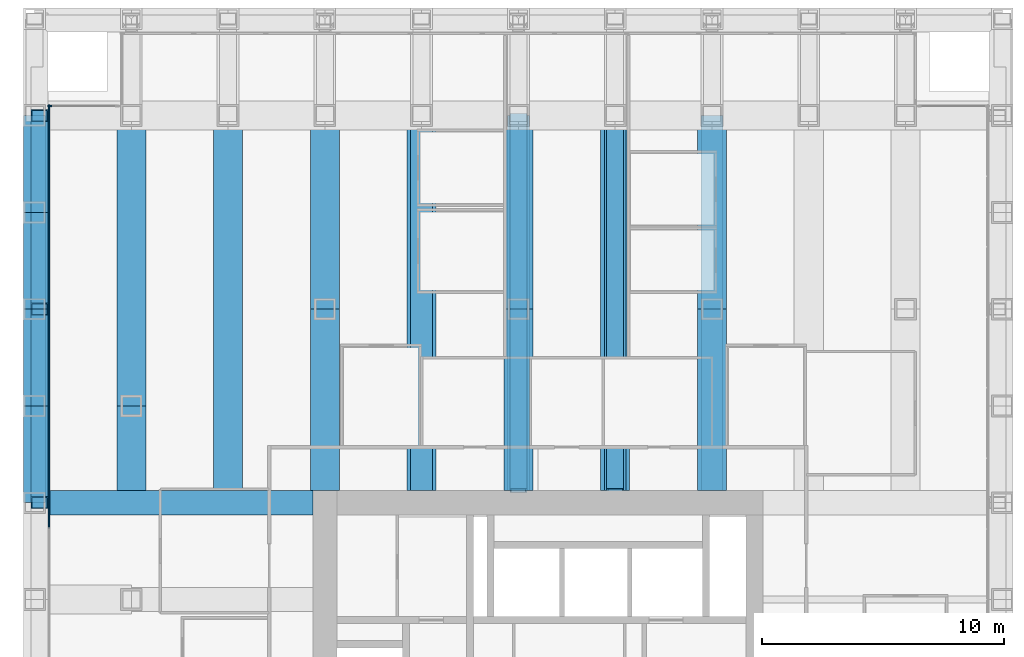
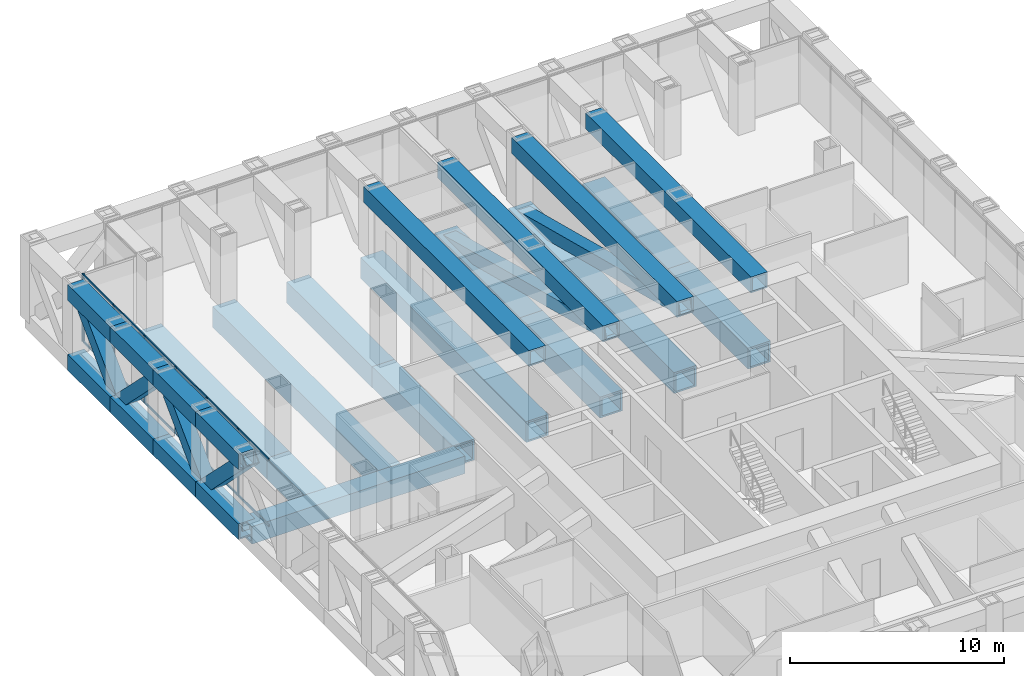
# One storey, part 6 of 16: 25 members, 24 beams, 2 elements without a shape of their own.
"""IFC4 building model written with IfcOpenShell, lengths in metres."""

from ifc_helpers import new_model, si_unit, direction, frame, origin, origin_2d, place, context, subcontext, project, spatial, rectangle, hollow_rectangle, extrude, material, material_profile, profile_set, type_object, element, aggregate, save


model = new_model("IFC4")

# Units and contexts
model_context = context("Model", 3, precision=1e-05, world=origin(), true_north=direction((0.0, 1.0)))
body_context = subcontext(model_context, "Body", "Model", "MODEL_VIEW")
ifc_project = project(units=[si_unit("LENGTHUNIT", "METRE"), si_unit("AREAUNIT", "SQUARE_METRE"), si_unit("VOLUMEUNIT", "CUBIC_METRE"), si_unit("PLANEANGLEUNIT", "RADIAN"), si_unit("MASSUNIT", "GRAM", prefix="KILO")], contexts=[model_context])

# Site, building, storey
site_placement = place(None, origin())
site = spatial("IfcSite", under=ifc_project, at=site_placement, CompositionType="ELEMENT")
building_placement = place(site_placement, origin())
building = spatial("IfcBuilding", under=site, at=building_placement, Name="Rimbunsela Tower", CompositionType="ELEMENT")
storey_placement = place(building_placement, frame((0.0, 0.0, 171.800048828125)))
storey = spatial("IfcBuildingStorey", under=building, at=storey_placement, Name="L41", CompositionType="ELEMENT", Elevation=171.800048828125)

# Beams
ifc_material_1 = material(Name="Steel BJ 55 (fy 410 MPa)", Category="steel")
ifc_material_profile_1 = material_profile(ifc_material_1, hollow_rectangle(XDim=1.0, YDim=1.0, WallThickness=0.10009765625, at=origin_2d()), Name="BOX 1000x1000x100")
ifc_profile_set_1 = profile_set([ifc_material_profile_1], Name="Steel BJ 55 (fy 410 MPa)")
beam_type_1 = type_object("IfcBeamType", Name="Beam BOX 1000x1000x100", PredefinedType="BEAM", material=ifc_profile_set_1)
beam_1_placement = place(storey_placement, frame((6.0, 36.0, -0.650146484375), z_axis=(1.0, 0.0, 0.0), x_axis=(0.0, 1.0, 0.0)))
element("IfcBeam", 1, at=beam_1_placement, inside=storey, type_object=beam_type_1, Name="Beam B3 L41", PredefinedType="BEAM", context=body_context, shape_type="SweptSolid", body=[
    extrude(hollow_rectangle(XDim=1.0, YDim=1.0, WallThickness=0.10009765625, at=origin_2d()), origin(), (0.0, 0.0, 1.0), 11.5),
])
ifc_material_2 = material(Name="Steel BJ 55 (fy 410 MPa)", Category="steel")
ifc_material_profile_2 = material_profile(ifc_material_2, hollow_rectangle(XDim=1.199951171875, YDim=1.199951171875, WallThickness=0.10009765625, at=origin_2d()), Name="BOX 1200x1200x100")
ifc_profile_set_2 = profile_set([ifc_material_profile_2], Name="Steel BJ 55 (fy 410 MPa)")
beam_type_2 = type_object("IfcBeamType", Name="Beam BOX 1200x1200x100", PredefinedType="BEAM", material=ifc_profile_set_2)
beam_2_placement = place(storey_placement, frame((14.0, 36.5, -0.75), z_axis=(0.0, 1.0, 0.0), x_axis=(-1.0, 0.0, 0.0)))
element("IfcBeam", 2, at=beam_2_placement, inside=storey, type_object=beam_type_2, Name="Beam B5 L41", PredefinedType="BEAM", context=body_context, shape_type="SweptSolid", body=[
    extrude(hollow_rectangle(XDim=1.199951171875, YDim=1.199951171875, WallThickness=0.10009765625, at=origin_2d()), origin(), (0.0, 0.0, 1.0), 15.5),
])
beam_3_placement = place(storey_placement, frame((18.0, 36.5, -0.75), z_axis=(0.0, 1.0, 0.0), x_axis=(-1.0, 0.0, 0.0)))
element("IfcBeam", 3, at=beam_3_placement, inside=storey, type_object=beam_type_2, Name="Beam B5 L41", PredefinedType="BEAM", context=body_context, shape_type="SweptSolid", body=[
    extrude(hollow_rectangle(XDim=1.199951171875, YDim=1.199951171875, WallThickness=0.10009765625, at=origin_2d()), origin(), (0.0, 0.0, 1.0), 7.5),
])
beam_4_placement = place(storey_placement, frame((22.0, 36.5, -0.75), z_axis=(0.0, 1.0, 0.0), x_axis=(-1.0, 0.0, 0.0)))
element("IfcBeam", 4, at=beam_4_placement, inside=storey, type_object=beam_type_2, Name="Beam B5 L41", PredefinedType="BEAM", context=body_context, shape_type="SweptSolid", body=[
    extrude(hollow_rectangle(XDim=1.199951171875, YDim=1.199951171875, WallThickness=0.10009765625, at=origin_2d()), origin(), (0.0, 0.0, 1.0), 15.5),
])
beam_5_placement = place(storey_placement, frame((26.0, 36.5, -0.75), z_axis=(0.0, 1.0, 0.0), x_axis=(-1.0, 0.0, 0.0)))
element("IfcBeam", 5, at=beam_5_placement, inside=storey, type_object=beam_type_2, Name="Beam B5 L41", PredefinedType="BEAM", context=body_context, shape_type="SweptSolid", body=[
    extrude(hollow_rectangle(XDim=1.199951171875, YDim=1.199951171875, WallThickness=0.10009765625, at=origin_2d()), origin(), (0.0, 0.0, 1.0), 7.5),
])
beam_6_placement = place(storey_placement, frame((30.0, 36.5, -0.75), z_axis=(0.0, 1.0, 0.0), x_axis=(-1.0, 0.0, 0.0)))
element("IfcBeam", 6, at=beam_6_placement, inside=storey, type_object=beam_type_2, Name="Beam B5 L41", PredefinedType="BEAM", context=body_context, shape_type="SweptSolid", body=[
    extrude(hollow_rectangle(XDim=1.199951171875, YDim=1.199951171875, WallThickness=0.10009765625, at=origin_2d()), origin(), (0.0, 0.0, 1.0), 15.5),
])
beam_7_placement = place(storey_placement, frame((34.0, 36.5, -0.75), z_axis=(0.0, 1.0, 0.0), x_axis=(-1.0, 0.0, 0.0)))
element("IfcBeam", 7, at=beam_7_placement, inside=storey, type_object=beam_type_2, Name="Beam B5 L41", PredefinedType="BEAM", context=body_context, shape_type="SweptSolid", body=[
    extrude(hollow_rectangle(XDim=1.199951171875, YDim=1.199951171875, WallThickness=0.10009765625, at=origin_2d()), origin(), (0.0, 0.0, 1.0), 7.5),
])
ifc_material_3 = material(Name="Steel BJ 55 (fy 410 MPa)", Category="steel")
ifc_material_profile_3 = material_profile(ifc_material_3, hollow_rectangle(XDim=1.199951171875, YDim=1.199951171875, WallThickness=0.125, at=origin_2d()), Name="BOX 1200x1200x125")
ifc_profile_set_3 = profile_set([ifc_material_profile_3], Name="Steel BJ 55 (fy 410 MPa)")
beam_type_3 = type_object("IfcBeamType", Name="Beam BOX 1200x1200x125", PredefinedType="BEAM", material=ifc_profile_set_3)
beam_8_placement = place(storey_placement, frame((10.0, 36.5, -0.75), z_axis=(0.0, 1.0, 0.0), x_axis=(-1.0, 0.0, 0.0)))
element("IfcBeam", 8, at=beam_8_placement, inside=storey, type_object=beam_type_3, Name="Beam B4 L41", PredefinedType="BEAM", context=body_context, shape_type="SweptSolid", body=[
    extrude(hollow_rectangle(XDim=1.199951171875, YDim=1.199951171875, WallThickness=0.125, at=origin_2d()), origin(), (0.0, 0.0, 1.0), 3.5),
])
beam_9_placement = place(storey_placement, frame((10.0, 40.0, -0.75), z_axis=(0.0, 1.0, 0.0), x_axis=(-1.0, 0.0, 0.0)))
element("IfcBeam", 9, at=beam_9_placement, inside=storey, type_object=beam_type_3, Name="Beam B4 L41", PredefinedType="BEAM", context=body_context, shape_type="SweptSolid", body=[
    extrude(hollow_rectangle(XDim=1.199951171875, YDim=1.199951171875, WallThickness=0.125, at=origin_2d()), origin(), (0.0, 0.0, 1.0), 12.0),
])
for number, where, z_axis, x_axis, name in (
    (10, (18.0, 44.0, -0.75), (0.0, 1.0, 0.0), (-1.0, 0.0, 0.0), "Beam B4 L41"),
    (11, (26.0, 44.0, -0.75), (0.0, 1.0, 0.0), (-1.0, 0.0, 0.0), "Beam B4 L41"),
    (12, (34.0, 44.0, -0.75), (0.0, 1.0, 0.0), (-1.0, 0.0, 0.0), "Beam B4 L41"),
):
    element("IfcBeam", number, at=place(storey_placement, frame(where, z_axis=z_axis, x_axis=x_axis)), inside=storey, type_object=beam_type_3, Name=name, PredefinedType="BEAM", context=body_context, shape_type="SweptSolid", body=[
        extrude(hollow_rectangle(XDim=1.199951171875, YDim=1.199951171875, WallThickness=0.125, at=origin_2d()), origin(), (0.0, 0.0, 1.0), 8.0),
    ])

# Curtain wall, member
ifc_material_4 = material(Name="Aluminium curtain wall", Category="aluminium")
curtain_wall_type_1 = type_object("IfcCurtainWallType", Name="Corner glazing", PredefinedType="USERDEFINED", material=ifc_material_4)
curtain_wall_1_placement = place(storey_placement, origin())
curtain_wall_1 = element("IfcCurtainWall", 13, at=curtain_wall_1_placement, inside=storey, type_object=curtain_wall_type_1, Name="Corner glazing L41", ObjectType="CORNER GLAZING", PredefinedType="USERDEFINED")
ifc_material_5 = material(Name="Aluminium mullion", Category="aluminium")
ifc_material_profile_4 = material_profile(ifc_material_5, rectangle(XDim=0.06005859375, YDim=0.159912109375, at=origin_2d()), Name="Mullion 60x160")
ifc_profile_set_4 = profile_set([ifc_material_profile_4], Name="Aluminium mullion")
member_type_1 = type_object("IfcMemberType", Name="Curtain wall mullion 60x160", PredefinedType="MULLION", material=ifc_profile_set_4)
member_1_placement = place(storey_placement, frame((6.6298828125, 52.39990234375, 0.0), z_axis=(0.0, 0.0, 1.0), x_axis=(0.0, -1.0, 0.0)))
member_1 = element("IfcMember", 14, at=member_1_placement, type_object=member_type_1, Name="CW5 mullion 2", PredefinedType="MULLION", context=body_context, shape_type="SweptSolid", body=[
    extrude(rectangle(XDim=0.06005859375, YDim=0.159912109375, at=origin_2d()), origin(), (0.0, 0.0, 1.0), 3.849853515625),
])
aggregate(curtain_wall_1, [member_1])

# Curtain wall, members
ifc_material_6 = material(Name="Aluminium curtain wall", Category="aluminium")
curtain_wall_type_2 = type_object("IfcCurtainWallType", Name="Exoskeleton storey infill", PredefinedType="USERDEFINED", material=ifc_material_6)
curtain_wall_2_placement = place(storey_placement, origin())
curtain_wall_2 = element("IfcCurtainWall", 15, at=curtain_wall_2_placement, inside=storey, type_object=curtain_wall_type_2, Name="Exoskeleton storey infill L41", ObjectType="EXOSKELETON STOREY INFILL", PredefinedType="USERDEFINED")
member_2_placement = place(storey_placement, frame((6.60009765625, 52.3701171875, 0.0), z_axis=(0.0, 0.0, 1.0), x_axis=(1.0, 0.0, 0.0)))
member_2 = element("IfcMember", 16, at=member_2_placement, type_object=member_type_1, Name="CW2 mullion 1", PredefinedType="MULLION", context=body_context, shape_type="SweptSolid", body=[
    extrude(rectangle(XDim=0.06005859375, YDim=0.159912109375, at=origin_2d()), origin(), (0.0, 0.0, 1.0), 3.849853515625),
])
member_3_placement = place(storey_placement, frame((6.60009765625, 49.485595703125, 0.0), z_axis=(0.0, 0.0, 1.0), x_axis=(1.0, 0.0, 0.0)))
member_3 = element("IfcMember", 17, at=member_3_placement, type_object=member_type_1, Name="CW2 mullion 2", PredefinedType="MULLION", context=body_context, shape_type="SweptSolid", body=[
    extrude(rectangle(XDim=0.06005859375, YDim=0.159912109375, at=origin_2d()), origin(), (0.0, 0.0, 1.0), 3.849853515625),
])
member_4_placement = place(storey_placement, frame((6.60009765625, 46.571533203125, 0.0), z_axis=(0.0, 0.0, 1.0), x_axis=(1.0, 0.0, 0.0)))
member_4 = element("IfcMember", 18, at=member_4_placement, type_object=member_type_1, Name="CW2 mullion 3", PredefinedType="MULLION", context=body_context, shape_type="SweptSolid", body=[
    extrude(rectangle(XDim=0.06005859375, YDim=0.159912109375, at=origin_2d()), origin(), (0.0, 0.0, 1.0), 3.849853515625),
])
member_5_placement = place(storey_placement, frame((6.60009765625, 43.6572265625, 0.0), z_axis=(0.0, 0.0, 1.0), x_axis=(1.0, 0.0, 0.0)))
member_5 = element("IfcMember", 19, at=member_5_placement, type_object=member_type_1, Name="CW2 mullion 4", PredefinedType="MULLION", context=body_context, shape_type="SweptSolid", body=[
    extrude(rectangle(XDim=0.06005859375, YDim=0.159912109375, at=origin_2d()), origin(), (0.0, 0.0, 1.0), 3.849853515625),
])
member_6_placement = place(storey_placement, frame((6.60009765625, 40.742919921875, 0.0), z_axis=(0.0, 0.0, 1.0), x_axis=(1.0, 0.0, 0.0)))
member_6 = element("IfcMember", 20, at=member_6_placement, type_object=member_type_1, Name="CW2 mullion 5", PredefinedType="MULLION", context=body_context, shape_type="SweptSolid", body=[
    extrude(rectangle(XDim=0.06005859375, YDim=0.159912109375, at=origin_2d()), origin(), (0.0, 0.0, 1.0), 3.849853515625),
])
member_7_placement = place(storey_placement, frame((6.60009765625, 37.82861328125, 0.0), z_axis=(0.0, 0.0, 1.0), x_axis=(1.0, 0.0, 0.0)))
member_7 = element("IfcMember", 21, at=member_7_placement, type_object=member_type_1, Name="CW2 mullion 6", PredefinedType="MULLION", context=body_context, shape_type="SweptSolid", body=[
    extrude(rectangle(XDim=0.06005859375, YDim=0.159912109375, at=origin_2d()), origin(), (0.0, 0.0, 1.0), 3.849853515625),
])
ifc_material_7 = material(Name="Aluminium transom", Category="aluminium")
ifc_material_profile_5 = material_profile(ifc_material_7, rectangle(XDim=0.06005859375, YDim=0.1201171875, at=origin_2d()), Name="Transom 60x120")
ifc_profile_set_5 = profile_set([ifc_material_profile_5], Name="Aluminium transom")
member_type_2 = type_object("IfcMemberType", Name="Curtain wall transom 60x120", PredefinedType="USERDEFINED", material=ifc_profile_set_5)
member_8_placement = place(storey_placement, frame((6.60009765625, 52.340087890625, 0.030029296875), z_axis=(0.0, -1.0, 0.0), x_axis=(1.0, 0.0, 0.0)))
member_8 = element("IfcMember", 22, at=member_8_placement, type_object=member_type_2, Name="CW2 transom 1.1", ObjectType="TRANSOM", PredefinedType="USERDEFINED", context=body_context, shape_type="SweptSolid", body=[
    extrude(rectangle(XDim=0.06005859375, YDim=0.1201171875, at=origin_2d()), origin(), (0.0, 0.0, 1.0), 2.824462890625),
])
member_9_placement = place(storey_placement, frame((6.60009765625, 52.340087890625, 3.820068359375), z_axis=(0.0, -1.0, 0.0), x_axis=(1.0, 0.0, 0.0)))
member_9 = element("IfcMember", 23, at=member_9_placement, type_object=member_type_2, Name="CW2 transom 1.2", ObjectType="TRANSOM", PredefinedType="USERDEFINED", context=body_context, shape_type="SweptSolid", body=[
    extrude(rectangle(XDim=0.06005859375, YDim=0.1201171875, at=origin_2d()), origin(), (0.0, 0.0, 1.0), 2.824462890625),
])
member_10_placement = place(storey_placement, frame((6.60009765625, 49.455810546875, 0.030029296875), z_axis=(0.0, -1.0, 0.0), x_axis=(1.0, 0.0, 0.0)))
member_10 = element("IfcMember", 24, at=member_10_placement, type_object=member_type_2, Name="CW2 transom 2.1", ObjectType="TRANSOM", PredefinedType="USERDEFINED", context=body_context, shape_type="SweptSolid", body=[
    extrude(rectangle(XDim=0.06005859375, YDim=0.1201171875, at=origin_2d()), origin(), (0.0, 0.0, 1.0), 2.8544921875),
])
member_11_placement = place(storey_placement, frame((6.60009765625, 49.455810546875, 3.820068359375), z_axis=(0.0, -1.0, 0.0), x_axis=(1.0, 0.0, 0.0)))
member_11 = element("IfcMember", 25, at=member_11_placement, type_object=member_type_2, Name="CW2 transom 2.2", ObjectType="TRANSOM", PredefinedType="USERDEFINED", context=body_context, shape_type="SweptSolid", body=[
    extrude(rectangle(XDim=0.06005859375, YDim=0.1201171875, at=origin_2d()), origin(), (0.0, 0.0, 1.0), 2.8544921875),
])
member_12_placement = place(storey_placement, frame((6.60009765625, 46.54150390625, 0.030029296875), z_axis=(0.0, -1.0, 0.0), x_axis=(1.0, 0.0, 0.0)))
member_12 = element("IfcMember", 26, at=member_12_placement, type_object=member_type_2, Name="CW2 transom 3.1", ObjectType="TRANSOM", PredefinedType="USERDEFINED", context=body_context, shape_type="SweptSolid", body=[
    extrude(rectangle(XDim=0.06005859375, YDim=0.1201171875, at=origin_2d()), origin(), (0.0, 0.0, 1.0), 2.854248046875),
])
member_13_placement = place(storey_placement, frame((6.60009765625, 46.54150390625, 3.820068359375), z_axis=(0.0, -1.0, 0.0), x_axis=(1.0, 0.0, 0.0)))
member_13 = element("IfcMember", 27, at=member_13_placement, type_object=member_type_2, Name="CW2 transom 3.2", ObjectType="TRANSOM", PredefinedType="USERDEFINED", context=body_context, shape_type="SweptSolid", body=[
    extrude(rectangle(XDim=0.06005859375, YDim=0.1201171875, at=origin_2d()), origin(), (0.0, 0.0, 1.0), 2.854248046875),
])
member_14_placement = place(storey_placement, frame((6.60009765625, 43.627197265625, 0.030029296875), z_axis=(0.0, -1.0, 0.0), x_axis=(1.0, 0.0, 0.0)))
member_14 = element("IfcMember", 28, at=member_14_placement, type_object=member_type_2, Name="CW2 transom 4.1", ObjectType="TRANSOM", PredefinedType="USERDEFINED", context=body_context, shape_type="SweptSolid", body=[
    extrude(rectangle(XDim=0.06005859375, YDim=0.1201171875, at=origin_2d()), origin(), (0.0, 0.0, 1.0), 2.854248046875),
])
member_15_placement = place(storey_placement, frame((6.60009765625, 43.627197265625, 3.820068359375), z_axis=(0.0, -1.0, 0.0), x_axis=(1.0, 0.0, 0.0)))
member_15 = element("IfcMember", 29, at=member_15_placement, type_object=member_type_2, Name="CW2 transom 4.2", ObjectType="TRANSOM", PredefinedType="USERDEFINED", context=body_context, shape_type="SweptSolid", body=[
    extrude(rectangle(XDim=0.06005859375, YDim=0.1201171875, at=origin_2d()), origin(), (0.0, 0.0, 1.0), 2.854248046875),
])
member_16_placement = place(storey_placement, frame((6.60009765625, 40.712890625, 0.030029296875), z_axis=(0.0, -1.0, 0.0), x_axis=(1.0, 0.0, 0.0)))
member_16 = element("IfcMember", 30, at=member_16_placement, type_object=member_type_2, Name="CW2 transom 5.1", ObjectType="TRANSOM", PredefinedType="USERDEFINED", context=body_context, shape_type="SweptSolid", body=[
    extrude(rectangle(XDim=0.06005859375, YDim=0.1201171875, at=origin_2d()), origin(), (0.0, 0.0, 1.0), 2.854248046875),
])
member_17_placement = place(storey_placement, frame((6.60009765625, 40.712890625, 3.820068359375), z_axis=(0.0, -1.0, 0.0), x_axis=(1.0, 0.0, 0.0)))
member_17 = element("IfcMember", 31, at=member_17_placement, type_object=member_type_2, Name="CW2 transom 5.2", ObjectType="TRANSOM", PredefinedType="USERDEFINED", context=body_context, shape_type="SweptSolid", body=[
    extrude(rectangle(XDim=0.06005859375, YDim=0.1201171875, at=origin_2d()), origin(), (0.0, 0.0, 1.0), 2.854248046875),
])
member_18_placement = place(storey_placement, frame((6.60009765625, 37.798583984375, 0.030029296875), z_axis=(0.0, -1.0, 0.0), x_axis=(1.0, 0.0, 0.0)))
member_18 = element("IfcMember", 32, at=member_18_placement, type_object=member_type_2, Name="CW2 transom 6.1", ObjectType="TRANSOM", PredefinedType="USERDEFINED", context=body_context, shape_type="SweptSolid", body=[
    extrude(rectangle(XDim=0.06005859375, YDim=0.1201171875, at=origin_2d()), origin(), (0.0, 0.0, 1.0), 2.854248046875),
])
member_19_placement = place(storey_placement, frame((6.60009765625, 37.798583984375, 3.820068359375), z_axis=(0.0, -1.0, 0.0), x_axis=(1.0, 0.0, 0.0)))
member_19 = element("IfcMember", 33, at=member_19_placement, type_object=member_type_2, Name="CW2 transom 6.2", ObjectType="TRANSOM", PredefinedType="USERDEFINED", context=body_context, shape_type="SweptSolid", body=[
    extrude(rectangle(XDim=0.06005859375, YDim=0.1201171875, at=origin_2d()), origin(), (0.0, 0.0, 1.0), 2.854248046875),
])
aggregate(curtain_wall_2, [member_2, member_3, member_4, member_5, member_6, member_7, member_8, member_9, member_10, member_11, member_12, member_13, member_14, member_15, member_16, member_17, member_18, member_19])

# Members
ifc_material_8 = material(Name="Steel BJ 55 (fy 410 MPa)", Category="steel")
ifc_material_profile_6 = material_profile(ifc_material_8, hollow_rectangle(XDim=0.699951171875, YDim=0.699951171875, WallThickness=0.050048828125, at=origin_2d()), Name="BOX 700x700x50")
ifc_profile_set_6 = profile_set([ifc_material_profile_6], Name="Steel BJ 55 (fy 410 MPa)")
member_type_3 = type_object("IfcMemberType", Name="Outrigger brace BOX 700x700x50", PredefinedType="BRACE", material=ifc_profile_set_6)
for number, where, z_axis, x_axis, name in (
    (34, (26.0, 52.0, -0.60009765625), (0.0, -0.968277323709, 0.249878019022), (1.0, 0.0, 0.0), "Outrigger brace OB2 N L41"),
    (35, (30.0, 52.0, -0.60009765625), (0.0, -0.968277323709, 0.249878019022), (1.0, 0.0, 0.0), "Outrigger brace OB2 N L41"),
):
    element("IfcMember", number, at=place(storey_placement, frame(where, z_axis=z_axis, x_axis=x_axis)), inside=storey, type_object=member_type_3, Name=name, PredefinedType="BRACE", context=body_context, shape_type="SweptSolid", body=[
        extrude(hollow_rectangle(XDim=0.699951171875, YDim=0.699951171875, WallThickness=0.050048828125, at=origin_2d()), origin(), (0.0, 0.0, 1.0), 16.0078125),
    ])

# Beams
ifc_material_9 = material(Name="Steel BJ 55 (fy 410 MPa)", Category="steel")
ifc_material_profile_7 = material_profile(ifc_material_9, hollow_rectangle(XDim=0.89990234375, YDim=0.89990234375, WallThickness=0.080078125, at=origin_2d()), Name="BOX 900x900x80")
ifc_profile_set_7 = profile_set([ifc_material_profile_7], Name="Steel BJ 55 (fy 410 MPa)")
beam_type_4 = type_object("IfcBeamType", Name="Truss chord BOX 900x900x80", PredefinedType="USERDEFINED", material=ifc_profile_set_7)
for number, where, z_axis, x_axis, name in (
    (36, (6.0, 36.0, 3.39990234375), (0.0, 1.0, 0.0), (-1.0, 0.0, 0.0), "Truss top chord TC3 W face L41"),
    (37, (6.0, 40.0, 3.39990234375), (0.0, 1.0, 0.0), (-1.0, 0.0, 0.0), "Truss top chord TC3 W face L41"),
    (38, (6.0, 44.0, 3.39990234375), (0.0, 1.0, 0.0), (-1.0, 0.0, 0.0), "Truss top chord TC3 W face L41"),
    (39, (6.0, 48.0, 3.39990234375), (0.0, 1.0, 0.0), (-1.0, 0.0, 0.0), "Truss top chord TC3 W face L41"),
    (40, (6.0, 36.0, -0.60009765625), (0.0, 1.0, 0.0), (-1.0, 0.0, 0.0), "Truss bottom chord TC3 W face L41"),
    (41, (6.0, 40.0, -0.60009765625), (0.0, 1.0, 0.0), (-1.0, 0.0, 0.0), "Truss bottom chord TC3 W face L41"),
    (42, (6.0, 44.0, -0.60009765625), (0.0, 1.0, 0.0), (-1.0, 0.0, 0.0), "Truss bottom chord TC3 W face L41"),
    (43, (6.0, 48.0, -0.60009765625), (0.0, 1.0, 0.0), (-1.0, 0.0, 0.0), "Truss bottom chord TC3 W face L41"),
):
    element("IfcBeam", number, at=place(storey_placement, frame(where, z_axis=z_axis, x_axis=x_axis)), inside=storey, type_object=beam_type_4, Name=name, ObjectType="TRUSS CHORD", PredefinedType="USERDEFINED", context=body_context, shape_type="SweptSolid", body=[
        extrude(hollow_rectangle(XDim=0.89990234375, YDim=0.89990234375, WallThickness=0.080078125, at=origin_2d()), origin(), (0.0, 0.0, 1.0), 4.0),
    ])
for number, where, z_axis, x_axis, name in (
    (44, (22.0, 36.5, 3.39990234375), (0.0, 1.0, 0.0), (-1.0, 0.0, 0.0), "Cantilever truss top chord TC3 8/R L41"),
    (45, (26.0, 36.5, 3.39990234375), (0.0, 1.0, 0.0), (-1.0, 0.0, 0.0), "Cantilever truss top chord TC3 9/R L41"),
    (46, (30.0, 36.5, 3.39990234375), (0.0, 1.0, 0.0), (-1.0, 0.0, 0.0), "Cantilever truss top chord TC3 10/R L41"),
    (47, (34.0, 36.5, 3.39990234375), (0.0, 1.0, 0.0), (-1.0, 0.0, 0.0), "Cantilever truss top chord TC3 11/R L41"),
):
    element("IfcBeam", number, at=place(storey_placement, frame(where, z_axis=z_axis, x_axis=x_axis)), inside=storey, type_object=beam_type_4, Name=name, ObjectType="TRUSS CHORD", PredefinedType="USERDEFINED", context=body_context, shape_type="SweptSolid", body=[
        extrude(hollow_rectangle(XDim=0.89990234375, YDim=0.89990234375, WallThickness=0.080078125, at=origin_2d()), origin(), (0.0, 0.0, 1.0), 15.5),
    ])

# Members
ifc_material_10 = material(Name="Steel BJ 55 (fy 410 MPa)", Category="steel")
ifc_material_profile_8 = material_profile(ifc_material_10, hollow_rectangle(XDim=0.699951171875, YDim=0.699951171875, WallThickness=0.0400390625, at=origin_2d()), Name="BOX 700x700x40")
ifc_profile_set_8 = profile_set([ifc_material_profile_8], Name="Steel BJ 55 (fy 410 MPa)")
member_type_4 = type_object("IfcMemberType", Name="Truss diagonal BOX 700x700x40", PredefinedType="BRACE", material=ifc_profile_set_8)
for number, where, z_axis, x_axis, name in (
    (48, (6.199951171875, 36.0, 3.39990234375), (0.0, 0.707106781187, -0.707106781187), (-1.0, 0.0, 0.0), "Truss diagonal TD3 W face L41"),
    (49, (6.199951171875, 40.0, -0.60009765625), (0.0, 0.707106781187, 0.707106781187), (-1.0, 0.0, 0.0), "Truss diagonal TD3 W face L41"),
    (50, (6.199951171875, 44.0, 3.39990234375), (0.0, 0.707106781187, -0.707106781187), (-1.0, 0.0, 0.0), "Truss diagonal TD3 W face L41"),
    (51, (6.199951171875, 48.0, -0.60009765625), (0.0, 0.707106781187, 0.707106781187), (-1.0, 0.0, 0.0), "Truss diagonal TD3 W face L41"),
):
    element("IfcMember", number, at=place(storey_placement, frame(where, z_axis=z_axis, x_axis=x_axis)), inside=storey, type_object=member_type_4, Name=name, PredefinedType="BRACE", context=body_context, shape_type="SweptSolid", body=[
        extrude(hollow_rectangle(XDim=0.699951171875, YDim=0.699951171875, WallThickness=0.0400390625, at=origin_2d()), origin(), (0.0, 0.0, 1.0), 5.65673828125),
    ])

save(model, "model.ifc")
